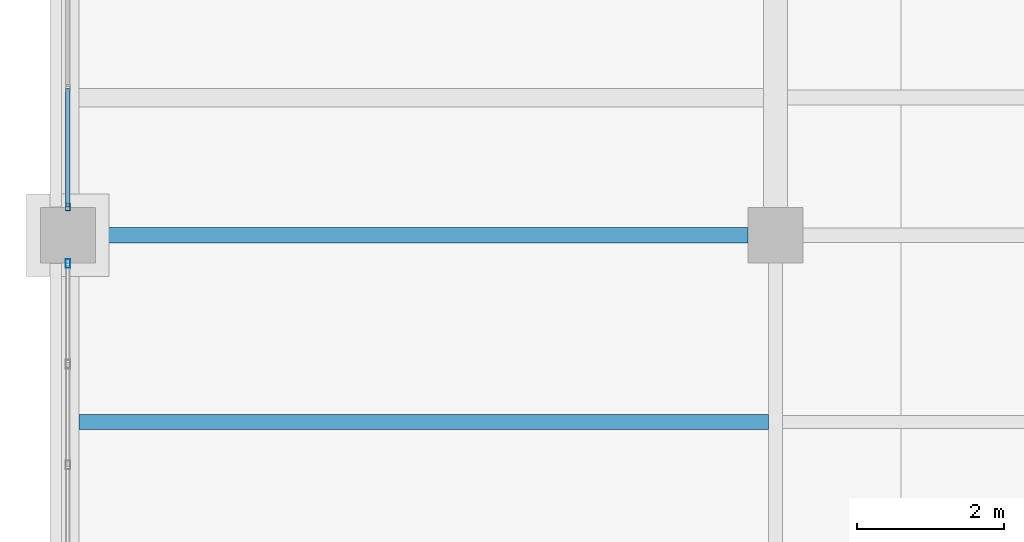
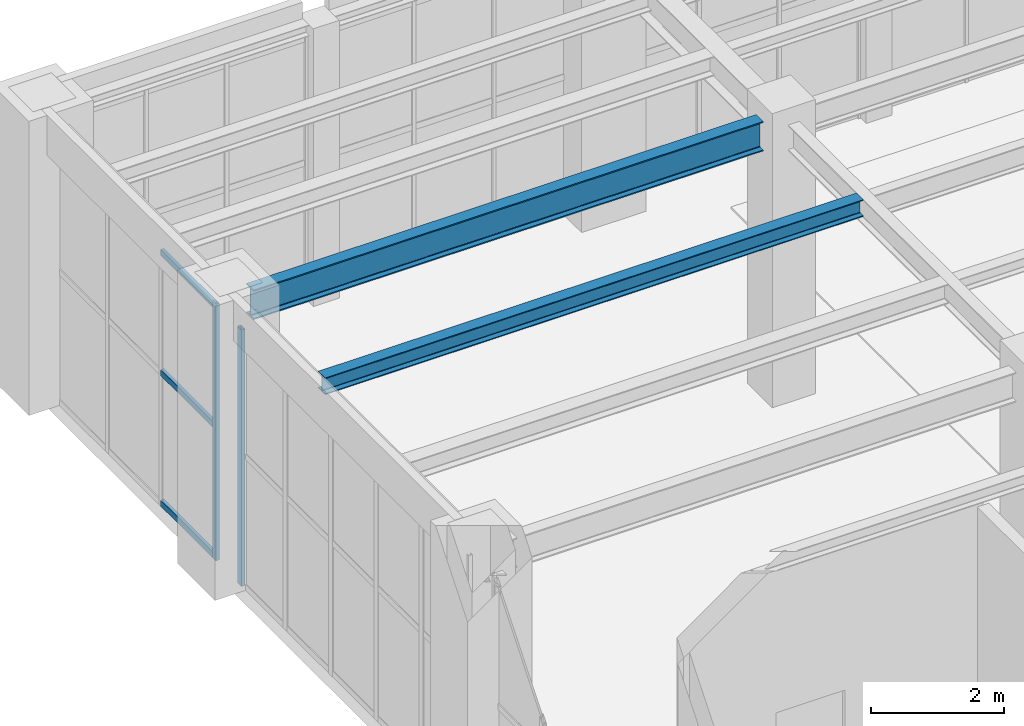
# One storey, part 73 of 164: 5 members, 2 beams, 2 elements without a shape of their own.
"""IFC4 building model written with IfcOpenShell, lengths in metres."""

from ifc_helpers import new_model, si_unit, direction, frame, origin, origin_2d, place, context, subcontext, project, spatial, hollow_rectangle, i_section, extrude, material, material_profile, profile_set, type_object, element, aggregate, save


model = new_model("IFC4")

# Units and contexts
model_context = context("Model", 3, precision=1e-05, world=origin(), true_north=direction((0.0, 1.0)))
body_context = subcontext(model_context, "Body", "Model", "MODEL_VIEW")
ifc_project = project(units=[si_unit("LENGTHUNIT", "METRE"), si_unit("AREAUNIT", "SQUARE_METRE"), si_unit("VOLUMEUNIT", "CUBIC_METRE"), si_unit("PLANEANGLEUNIT", "RADIAN"), si_unit("MASSUNIT", "GRAM", prefix="KILO")], contexts=[model_context])

# Site, building, storey
site_placement = place(None, origin())
site = spatial("IfcSite", under=ifc_project, at=site_placement, CompositionType="ELEMENT")
building_placement = place(site_placement, origin())
building = spatial("IfcBuilding", under=site, at=building_placement, Name="Mavantir Sound Aquarium", CompositionType="ELEMENT")
storey_placement = place(building_placement, origin())
storey = spatial("IfcBuildingStorey", under=building, at=storey_placement, Name="L00", CompositionType="ELEMENT", Elevation=0.0)

# Beams
ifc_material_1 = material(Name="Structural Steel ASTM A992 Gr50", Category="steel")
ifc_material_profile_1 = material_profile(ifc_material_1, i_section(OverallWidth=0.205078125, OverallDepth=0.31005859375, WebThickness=0.009521484375, FlangeThickness=0.016357421875, FilletRadius=0.012939453125, at=origin_2d()), Name="W310X74")
ifc_profile_set_1 = profile_set([ifc_material_profile_1], Name="Structural Steel ASTM A992 Gr50")
beam_type_1 = type_object("IfcBeamType", Name="BM-W310X74-I", PredefinedType="JOIST", material=ifc_profile_set_1)
beam_1_placement = place(storey_placement, frame((0.152587890625, 107.86669921875, 4.94091796875), z_axis=(1.0, 0.0, 0.0), x_axis=(0.0, 1.0, 0.0)))
element("IfcBeam", 1, at=beam_1_placement, inside=storey, type_object=beam_type_1, Name="L00 secondary floor joist SJ-31 595", PredefinedType="JOIST", context=body_context, shape_type="SweptSolid", body=[
    extrude(i_section(OverallWidth=0.205078125, OverallDepth=0.31005859375, WebThickness=0.009521484375, FlangeThickness=0.016357421875, FilletRadius=0.012939453125, at=origin_2d()), origin(), (0.0, 0.0, 1.0), 9.350341796875),
])
ifc_material_profile_2 = material_profile(ifc_material_1, i_section(OverallWidth=0.2119140625, OverallDepth=0.5439453125, WebThickness=0.01318359375, FlangeThickness=0.021240234375, FilletRadius=0.01806640625, at=origin_2d()), Name="W530X123")
ifc_profile_set_2 = profile_set([ifc_material_profile_2], Name="Structural Steel ASTM A992 Gr50")
beam_type_2 = type_object("IfcBeamType", Name="BM-W530X123-I", PredefinedType="BEAM", material=ifc_profile_set_2)
beam_2_placement = place(storey_placement, frame((0.375, 110.39990234375, 4.823974609375), z_axis=(1.0, 0.0, 0.0), x_axis=(0.0, 1.0, 0.0)))
element("IfcBeam", 2, at=beam_2_placement, inside=storey, type_object=beam_type_2, Name="L00 primary beam SB-53 1042", PredefinedType="BEAM", context=body_context, shape_type="SweptSolid", body=[
    extrude(i_section(OverallWidth=0.2119140625, OverallDepth=0.5439453125, WebThickness=0.01318359375, FlangeThickness=0.021240234375, FilletRadius=0.01806640625, at=origin_2d()), origin(), (0.0, 0.0, 1.0), 8.85009765625),
])

# Curtain wall, member
ifc_material_2 = material(Name="Anodised Marine Aluminium and Low-E Glass", Category="aluminium")
curtain_wall_type_1 = type_object("IfcCurtainWallType", Name="CW-T19", PredefinedType="USERDEFINED", material=ifc_material_2)
curtain_wall_1_placement = place(storey_placement, origin())
curtain_wall_1 = element("IfcCurtainWall", 3, at=curtain_wall_1_placement, inside=storey, type_object=curtain_wall_type_1, Name="L00 unitised curtain wall CW-19 43", ObjectType="UNITISED GLAZING", PredefinedType="USERDEFINED")
ifc_material_3 = material(Name="Anodised Marine Aluminium 6063-T6", Category="aluminium")
ifc_material_profile_3 = material_profile(ifc_material_3, hollow_rectangle(XDim=0.06005859375, YDim=0.10009765625, WallThickness=0.00390625, at=origin_2d()), Name="ALU-MULLION-100X60")
ifc_profile_set_3 = profile_set([ifc_material_profile_3], Name="Anodised Marine Aluminium 6063-T6")
member_type_1 = type_object("IfcMemberType", Name="CW-MUL-100", PredefinedType="MULLION", material=ifc_profile_set_3)
member_1_placement = place(storey_placement, frame((0.0, 110.782958984375, 0.0), z_axis=(0.0, 0.0, 1.0), x_axis=(1.0, 0.0, 0.0)))
member_1 = element("IfcMember", 4, at=member_1_placement, type_object=member_type_1, Name="CW-L00-043 vertical mullion 4", PredefinedType="MULLION", context=body_context, shape_type="SweptSolid", body=[
    extrude(hollow_rectangle(XDim=0.06005859375, YDim=0.10009765625, WallThickness=0.00390625, at=origin_2d()), origin(), (0.0, 0.0, 1.0), 4.712890625),
])

curtain_wall_type_2 = type_object("IfcCurtainWallType", Name="CW-T20", PredefinedType="USERDEFINED", material=ifc_material_2)
curtain_wall_2_placement = place(storey_placement, origin())
curtain_wall_2 = element("IfcCurtainWall", 5, at=curtain_wall_2_placement, inside=storey, type_object=curtain_wall_type_2, Name="L00 unitised curtain wall CW-20 44", ObjectType="UNITISED GLAZING", PredefinedType="USERDEFINED")
ifc_material_profile_4 = material_profile(ifc_material_3, hollow_rectangle(XDim=0.06494140625, YDim=0.1201171875, WallThickness=0.00390625, at=origin_2d()), Name="ALU-MULLION-120X65")
ifc_profile_set_4 = profile_set([ifc_material_profile_4], Name="Anodised Marine Aluminium 6063-T6")
member_type_2 = type_object("IfcMemberType", Name="CW-MUL-120", PredefinedType="MULLION", material=ifc_profile_set_4)
member_2_placement = place(storey_placement, frame((0.0, 110.01708984375, 0.0), z_axis=(0.0, 0.0, 1.0), x_axis=(1.0, 0.0, 0.0)))
member_2 = element("IfcMember", 6, at=member_2_placement, type_object=member_type_2, Name="CW-L00-044 vertical mullion 1", PredefinedType="MULLION", context=body_context, shape_type="SweptSolid", body=[
    extrude(hollow_rectangle(XDim=0.06494140625, YDim=0.1201171875, WallThickness=0.00390625, at=origin_2d()), origin(), (0.0, 0.0, 1.0), 4.712890625),
])
aggregate(curtain_wall_2, [member_2])

# Member
ifc_material_profile_5 = material_profile(ifc_material_3, hollow_rectangle(XDim=0.06005859375, YDim=0.110107421875, WallThickness=0.00390625, at=origin_2d()), Name="ALU-TRANSOM-110X60")
ifc_profile_set_5 = profile_set([ifc_material_profile_5], Name="Anodised Marine Aluminium 6063-T6")
member_type_3 = type_object("IfcMemberType", Name="CW-TRN-110", PredefinedType="USERDEFINED", material=ifc_profile_set_5)
member_3_placement = place(storey_placement, frame((0.0, 112.394287109375, 0.054931640625), z_axis=(0.0, -1.0, 0.0), x_axis=(1.0, 0.0, 0.0)))
member_3 = element("IfcMember", 7, at=member_3_placement, type_object=member_type_3, Name="CW-L00-043 transom 3.1", ObjectType="TRANSOM", PredefinedType="USERDEFINED", context=body_context, shape_type="SweptSolid", body=[
    extrude(hollow_rectangle(XDim=0.06005859375, YDim=0.110107421875, WallThickness=0.00390625, at=origin_2d()), origin(), (0.0, 0.0, 1.0), 1.611328125),
])

member_4_placement = place(storey_placement, frame((0.0, 112.394287109375, 2.45068359375), z_axis=(0.0, -1.0, 0.0), x_axis=(1.0, 0.0, 0.0)))
member_4 = element("IfcMember", 8, at=member_4_placement, type_object=member_type_3, Name="CW-L00-043 transom 3.2", ObjectType="TRANSOM", PredefinedType="USERDEFINED", context=body_context, shape_type="SweptSolid", body=[
    extrude(hollow_rectangle(XDim=0.06005859375, YDim=0.110107421875, WallThickness=0.00390625, at=origin_2d()), origin(), (0.0, 0.0, 1.0), 1.611328125),
])

member_5_placement = place(storey_placement, frame((0.0, 112.394287109375, 4.657958984375), z_axis=(0.0, -1.0, 0.0), x_axis=(1.0, 0.0, 0.0)))
member_5 = element("IfcMember", 9, at=member_5_placement, type_object=member_type_3, Name="CW-L00-043 transom 3.3", ObjectType="TRANSOM", PredefinedType="USERDEFINED", context=body_context, shape_type="SweptSolid", body=[
    extrude(hollow_rectangle(XDim=0.06005859375, YDim=0.110107421875, WallThickness=0.00390625, at=origin_2d()), origin(), (0.0, 0.0, 1.0), 1.611328125),
])

aggregate(curtain_wall_1, [member_1, member_3, member_4, member_5])

save(model, "model.ifc")
